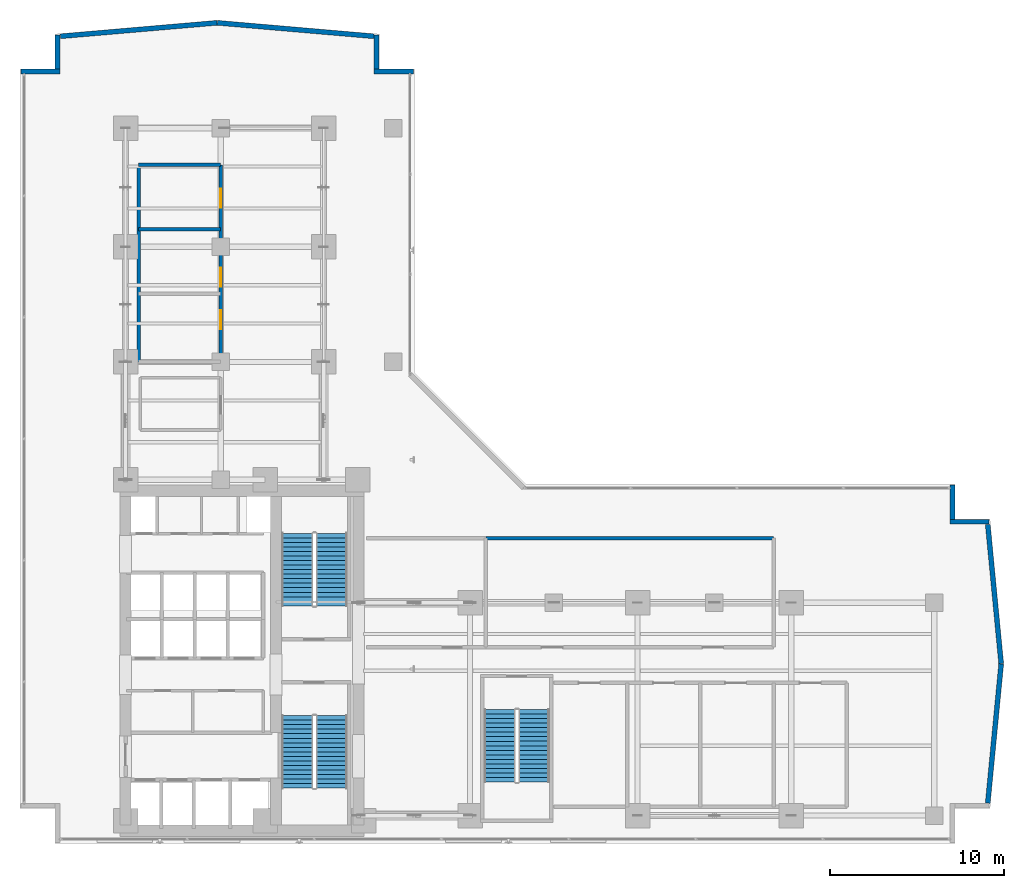
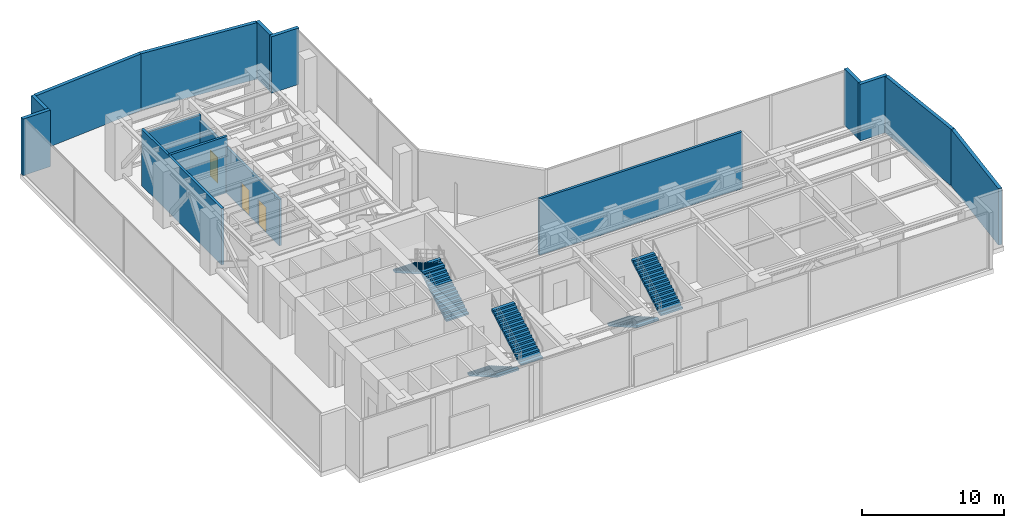
# One storey, part 33 of 37: 15 walls, 6 stair flights, 3 doors, 3 openings, 3 elements without a shape of their own.
"""IFC4 building model written with IfcOpenShell, lengths in metres."""

from ifc_helpers import new_model, si_unit, direction, frame, frame_2d, origin, place, context, subcontext, project, spatial, polyline, rectangle, outline, extrude, material, layer, layer_set, type_object, element, fill, aggregate, save


model = new_model("IFC4")

# Units and contexts
model_context = context("Model", 3, precision=1e-05, world=origin(), true_north=direction((0.0, 1.0)))
body_context = subcontext(model_context, "Body", "Model", "MODEL_VIEW")
ifc_project = project(units=[si_unit("LENGTHUNIT", "METRE"), si_unit("AREAUNIT", "SQUARE_METRE"), si_unit("VOLUMEUNIT", "CUBIC_METRE"), si_unit("PLANEANGLEUNIT", "RADIAN"), si_unit("MASSUNIT", "GRAM", prefix="KILO")], contexts=[model_context])

# Site, building, storey
site_placement = place(None, origin())
site = spatial("IfcSite", under=ifc_project, at=site_placement, CompositionType="ELEMENT")
building_placement = place(site_placement, origin())
building = spatial("IfcBuilding", under=site, at=building_placement, Name="Kolvaren Waterfront Exchange", CompositionType="ELEMENT")
storey_placement = place(building_placement, frame((0.0, 0.0, 141.10009765625)))
storey = spatial("IfcBuildingStorey", under=building, at=storey_placement, Name="L36", CompositionType="ELEMENT", Elevation=141.10009765625)

# Walls
ifc_material_1 = material(Name="Precast concrete C40/50", Category="concrete")
ifc_layer_1 = layer(ifc_material_1, 0.280029296875, Name="Precast concrete C40/50")
ifc_layer_set_1 = layer_set([ifc_layer_1], Name="Precast concrete C40/50")
wall_type_1 = type_object("IfcWallType", Name="ARC-EXT-TERR-280", PredefinedType="SOLIDWALL", material=ifc_layer_set_1)
wall_1_placement = place(storey_placement, frame((54.840087890625, 22.1650390625, 0.0), z_axis=(0.0, 0.0, 1.0), x_axis=(0.0, 1.0, 0.0)))
element("IfcWall", 1, at=wall_1_placement, inside=storey, type_object=wall_type_1, Name="L36 notched corner spandrel pier ENE-A", PredefinedType="SOLIDWALL", context=body_context, shape_type="SweptSolid", body=[
    extrude(rectangle(XDim=1.974853515625, YDim=0.280029296875, at=frame_2d((0.9873046875, 0.0))), origin(), (0.0, 0.0, 1.0), 4.85986328125),
])
for number, where, z_axis, x_axis, name in (
    (2, (54.699951171875, 22.0400390625, 0.0), (0.0, 0.0, 1.0), (1.0, 0.0, 0.0), "L36 notched corner spandrel pier ENE-B"),
    (3, (21.699951171875, 47.840087890625, 0.0), (0.0, 0.0, 1.0), (1.0, 0.0, 0.0), "L36 notched corner spandrel pier NNE-A"),
):
    element("IfcWall", number, at=place(storey_placement, frame(where, z_axis=z_axis, x_axis=x_axis)), inside=storey, type_object=wall_type_1, Name=name, PredefinedType="SOLIDWALL", context=body_context, shape_type="SweptSolid", body=[
        extrude(rectangle(XDim=2.239990234375, YDim=0.280029296875, at=frame_2d((1.1201171875, 0.0))), origin(), (0.0, 0.0, 1.0), 4.85986328125),
    ])
wall_2_placement = place(storey_placement, frame((21.840087890625, 47.97998046875, 0.0), z_axis=(0.0, 0.0, 1.0), x_axis=(0.0, 1.0, 0.0)))
element("IfcWall", 4, at=wall_2_placement, inside=storey, type_object=wall_type_1, Name="L36 notched corner spandrel pier NNE-B", PredefinedType="SOLIDWALL", context=body_context, shape_type="SweptSolid", body=[
    extrude(rectangle(XDim=1.9599609375, YDim=0.280029296875, at=frame_2d((0.97998046875, 0.0))), origin(), (0.0, 0.0, 1.0), 4.85986328125),
])
wall_3_placement = place(storey_placement, frame((1.4599609375, 47.840087890625, 0.0), z_axis=(0.0, 0.0, 1.0), x_axis=(1.0, 0.0, 0.0)))
element("IfcWall", 5, at=wall_3_placement, inside=storey, type_object=wall_type_1, Name="L36 notched corner spandrel pier NW-A", PredefinedType="SOLIDWALL", context=body_context, shape_type="SweptSolid", body=[
    extrude(rectangle(XDim=2.239990234375, YDim=0.280029296875, at=frame_2d((1.1201171875, 0.0))), origin(), (0.0, 0.0, 1.0), 4.85986328125),
])
wall_4_placement = place(storey_placement, frame((3.56005859375, 47.97998046875, 0.0), z_axis=(0.0, 0.0, 1.0), x_axis=(0.0, 1.0, 0.0)))
element("IfcWall", 6, at=wall_4_placement, inside=storey, type_object=wall_type_1, Name="L36 notched corner spandrel pier NW-B", PredefinedType="SOLIDWALL", context=body_context, shape_type="SweptSolid", body=[
    extrude(rectangle(XDim=1.9599609375, YDim=0.280029296875, at=frame_2d((0.97998046875, 0.0))), origin(), (0.0, 0.0, 1.0), 4.85986328125),
])
for number, where, z_axis, x_axis, name in (
    (7, (56.869384765625, 5.9140625, 0.0), (0.0, 0.0, 1.0), (0.095969995245, 0.995384227328, 0.0), "L36 east prow faceted facade wall 1"),
    (8, (57.638916015625, 13.904541015625, 0.0), (0.0, 0.0, 1.0), (-0.095969995245, 0.995384227328, 0.0), "L36 east prow faceted facade wall 2"),
):
    element("IfcWall", number, at=place(storey_placement, frame(where, z_axis=z_axis, x_axis=x_axis)), inside=storey, type_object=wall_type_1, Name=name, PredefinedType="SOLIDWALL", context=body_context, shape_type="SweptSolid", body=[
        extrude(rectangle(XDim=8.0185546875, YDim=0.280029296875, at=frame_2d((4.00927734375, 0.0))), origin(), (0.0, 0.0, 1.0), 4.85986328125),
    ])
for number, where, z_axis, x_axis, name in (
    (9, (21.6875, 49.8662109375, 0.0), (0.0, 0.0, 1.0), (-0.996319339243, 0.085719159179, 0.0), "L36 north prow faceted facade wall 1"),
    (10, (12.69384765625, 50.638916015625, 0.0), (0.0, 0.0, 1.0), (-0.996319339243, -0.085719159179, 0.0), "L36 north prow faceted facade wall 2"),
):
    element("IfcWall", number, at=place(storey_placement, frame(where, z_axis=z_axis, x_axis=x_axis)), inside=storey, type_object=wall_type_1, Name=name, PredefinedType="SOLIDWALL", context=body_context, shape_type="SweptSolid", body=[
        extrude(rectangle(XDim=9.014404296875, YDim=0.280029296875, at=frame_2d((4.50732421875, 0.0))), origin(), (0.0, 0.0, 1.0), 4.85986328125),
    ])
ifc_layer_2 = layer(ifc_material_1, 0.199951171875, Name="Precast concrete C40/50")
ifc_layer_set_2 = layer_set([ifc_layer_2], Name="Precast concrete C40/50")
wall_type_2 = type_object("IfcWallType", Name="ARC-FIRE-200", PredefinedType="PARTITIONING", material=ifc_layer_set_2)
wall_5_placement = place(storey_placement, frame((28.10009765625, 21.10009765625, 0.0), z_axis=(0.0, 0.0, 1.0), x_axis=(1.0, 0.0, 0.0)))
element("IfcWall", 11, at=wall_5_placement, inside=storey, type_object=wall_type_2, Name="L36 interior wall PW-L36-REF-N", PredefinedType="PARTITIONING", context=body_context, shape_type="SweptSolid", body=[
    extrude(rectangle(XDim=16.5, YDim=0.199951171875, at=frame_2d((8.25, 0.0))), origin(), (0.0, 0.0, 1.0), 4.85986328125),
])

# Wall, openings, doors
wall_6_placement = place(storey_placement, frame((12.89990234375, 31.199951171875, 0.0), z_axis=(0.0, 0.0, 1.0), x_axis=(0.0, 1.0, 0.0)))
wall_6 = element("IfcWall", 12, at=wall_6_placement, inside=storey, type_object=wall_type_2, Name="L36 interior wall PW-L36-PL-E3", PredefinedType="PARTITIONING", context=body_context, shape_type="SweptSolid", body=[
    extrude(rectangle(XDim=11.300048828125, YDim=0.199951171875, at=frame_2d((5.64990234375, 0.0))), origin(), (0.0, 0.0, 1.0), 3.9599609375),
])
opening_1_placement = place(wall_6_placement, frame((1.875, 0.0, 0.0)))
opening_1 = element("IfcOpeningElement", 13, at=opening_1_placement, cuts=wall_6, Name="Opening FD2", PredefinedType="OPENING", context=body_context, shape_type="SweptSolid", body=[
    extrude(rectangle(XDim=1.10009765625, YDim=2.199951171875, at=frame_2d((0.550048828125, 1.10009765625))), frame((0.0, 0.10986328125, 0.0), z_axis=(0.0, -1.0, 0.0), x_axis=(1.0, 0.0, 0.0)), (0.0, 0.0, 1.0), 0.219970703125),
])
opening_2_placement = place(wall_6_placement, frame((4.300048828125, 0.0, 0.0)))
opening_2 = element("IfcOpeningElement", 14, at=opening_2_placement, cuts=wall_6, Name="Opening FD2", PredefinedType="OPENING", context=body_context, shape_type="SweptSolid", body=[
    extrude(rectangle(XDim=1.10009765625, YDim=2.199951171875, at=frame_2d((0.550048828125, 1.10009765625))), frame((0.0, 0.10986328125, 0.0), z_axis=(0.0, -1.0, 0.0), x_axis=(1.0, 0.0, 0.0)), (0.0, 0.0, 1.0), 0.219970703125),
])
opening_3_placement = place(wall_6_placement, frame((8.827392578125, 0.0, 0.0)))
opening_3 = element("IfcOpeningElement", 15, at=opening_3_placement, cuts=wall_6, Name="Opening FD2", PredefinedType="OPENING", context=body_context, shape_type="SweptSolid", body=[
    extrude(rectangle(XDim=1.10009765625, YDim=2.199951171875, at=frame_2d((0.550048828125, 1.10009765625))), frame((0.0, 0.10986328125, 0.0), z_axis=(0.0, -1.0, 0.0), x_axis=(1.0, 0.0, 0.0)), (0.0, 0.0, 1.0), 0.219970703125),
])
ifc_material_2 = material(Name="Pressed steel smoke-seal fire door", Category="steel")
door_type = type_object("IfcDoorType", Name="ARC-FD-1100", OperationType="NOTDEFINED", PredefinedType="DOOR", material=ifc_material_2)
door_1_placement = place(opening_1_placement, origin())
door_1 = element("IfcDoor", 16, at=door_1_placement, inside=storey, type_object=door_type, Name="L36 door DR-L36-PLNW-D1 (FD2)", OperationType="SINGLE_SWING_RIGHT", OverallHeight=2.199951171875, OverallWidth=1.10009765625, PredefinedType="DOOR", context=body_context, shape_type="SweptSolid", body=[
    extrude(rectangle(XDim=1.10009765625, YDim=2.199951171875, at=frame_2d((0.550048828125, 1.10009765625))), frame((0.0, 0.02490234375, 0.0), z_axis=(0.0, -1.0, 0.0), x_axis=(1.0, 0.0, 0.0)), (0.0, 0.0, 1.0), 0.050048828125),
])
fill(opening_1, door_1)
door_2_placement = place(opening_2_placement, origin())
door_2 = element("IfcDoor", 17, at=door_2_placement, inside=storey, type_object=door_type, Name="L36 door DR-L36-PLNW-D2 (FD2)", OperationType="SINGLE_SWING_LEFT", OverallHeight=2.199951171875, OverallWidth=1.10009765625, PredefinedType="DOOR", context=body_context, shape_type="SweptSolid", body=[
    extrude(rectangle(XDim=1.10009765625, YDim=2.199951171875, at=frame_2d((0.550048828125, 1.10009765625))), frame((0.0, 0.02490234375, 0.0), z_axis=(0.0, -1.0, 0.0), x_axis=(1.0, 0.0, 0.0)), (0.0, 0.0, 1.0), 0.050048828125),
])
fill(opening_2, door_2)
door_3_placement = place(opening_3_placement, origin())
door_3 = element("IfcDoor", 18, at=door_3_placement, inside=storey, type_object=door_type, Name="L36 door DR-L36-PLNW-D3 (FD2)", OperationType="SINGLE_SWING_RIGHT", OverallHeight=2.199951171875, OverallWidth=1.10009765625, PredefinedType="DOOR", context=body_context, shape_type="SweptSolid", body=[
    extrude(rectangle(XDim=1.10009765625, YDim=2.199951171875, at=frame_2d((0.550048828125, 1.10009765625))), frame((0.0, 0.02490234375, 0.0), z_axis=(0.0, -1.0, 0.0), x_axis=(1.0, 0.0, 0.0)), (0.0, 0.0, 1.0), 0.050048828125),
])
fill(opening_3, door_3)

# Walls
wall_7_placement = place(storey_placement, frame((8.199951171875, 31.199951171875, 0.0), z_axis=(0.0, 0.0, 1.0), x_axis=(0.0, 1.0, 0.0)))
element("IfcWall", 19, at=wall_7_placement, inside=storey, type_object=wall_type_2, Name="L36 interior wall PW-L36-PL-W3", PredefinedType="PARTITIONING", context=body_context, shape_type="SweptSolid", body=[
    extrude(rectangle(XDim=11.300048828125, YDim=0.199951171875, at=frame_2d((5.64990234375, 0.0))), origin(), (0.0, 0.0, 1.0), 4.85986328125),
])
wall_8_placement = place(storey_placement, frame((8.199951171875, 42.5, 0.0), z_axis=(0.0, 0.0, 1.0), x_axis=(1.0, 0.0, 0.0)))
element("IfcWall", 20, at=wall_8_placement, inside=storey, type_object=wall_type_2, Name="L36 interior wall PW-L36-PL-N3", PredefinedType="PARTITIONING", context=body_context, shape_type="SweptSolid", body=[
    extrude(rectangle(XDim=4.699951171875, YDim=0.199951171875, at=frame_2d((2.35009765625, 0.0))), origin(), (0.0, 0.0, 1.0), 4.4599609375),
])
wall_9_placement = place(storey_placement, frame((8.199951171875, 38.800048828125, 0.0), z_axis=(0.0, 0.0, 1.0), x_axis=(1.0, 0.0, 0.0)))
element("IfcWall", 21, at=wall_9_placement, inside=storey, type_object=wall_type_2, Name="L36 interior wall PW-L36-PL-M3-2", PredefinedType="PARTITIONING", context=body_context, shape_type="SweptSolid", body=[
    extrude(rectangle(XDim=4.699951171875, YDim=0.199951171875, at=frame_2d((2.35009765625, 0.0))), origin(), (0.0, 0.0, 1.0), 4.85986328125),
])

# Stair, stair flights
ifc_material_3 = material(Name="Concrete C40/50", Category="concrete")
stair_type = type_object("IfcStairType", Name="ARC-STAIR-5100", PredefinedType="HALF_TURN_STAIR", material=ifc_material_3)
stair_1_placement = place(storey_placement, origin())
stair_1 = element("IfcStair", 22, at=stair_1_placement, inside=storey, type_object=stair_type, Name="L36 Smoke-proof exit stair ST1", PredefinedType="HALF_TURN_STAIR")
stair_flight_type = type_object("IfcStairFlightType", Name="ARC-FLIGHT-5100", PredefinedType="STRAIGHT", material=ifc_material_3)
stair_flight_1_placement = place(storey_placement, frame((17.300048828125, 10.929931640625, 0.0), z_axis=(0.0, 0.0, 1.0), x_axis=(0.0, -1.0, 0.0)))
stair_flight_1 = element("IfcStairFlight", 23, at=stair_flight_1_placement, type_object=stair_flight_type, Name="ST1 flight 1", NumberOfRisers=17, NumberOfTreads=16, PredefinedType="STRAIGHT", RiserHeight=0.15, TreadLength=0.26, context=body_context, shape_type="SweptSolid", body=[
    extrude(outline(polyline([(0.0, 0.0), (0.0, 0.14990234375), (0.260009765625, 0.14990234375), (0.260009765625, 0.300048828125), (0.52001953125, 0.300048828125), (0.52001953125, 0.449951171875), (0.780029296875, 0.449951171875), (0.780029296875, 0.60009765625), (1.0400390625, 0.60009765625), (1.0400390625, 0.75), (1.300048828125, 0.75), (1.300048828125, 0.89990234375), (1.56005859375, 0.89990234375), (1.56005859375, 1.050048828125), (1.820068359375, 1.050048828125), (1.820068359375, 1.199951171875), (2.080078125, 1.199951171875), (2.080078125, 1.35009765625), (2.340087890625, 1.35009765625), (2.340087890625, 1.5), (2.60009765625, 1.5), (2.60009765625, 1.64990234375), (2.860107421875, 1.64990234375), (2.860107421875, 1.800048828125), (3.1201171875, 1.800048828125), (3.1201171875, 1.949951171875), (3.3798828125, 1.949951171875), (3.3798828125, 2.10009765625), (3.639892578125, 2.10009765625), (3.639892578125, 2.25), (3.89990234375, 2.25), (3.89990234375, 2.39990234375), (4.159912109375, 2.39990234375), (4.159912109375, 2.550048828125), (4.159912109375, 2.22705078125), (0.300048828125, 0.0), (0.0, 0.0)])), frame((0.0, 0.89990234375, 0.0), z_axis=(0.0, -1.0, 0.0), x_axis=(1.0, 0.0, 0.0)), (0.0, 0.0, 1.0), 1.800048828125),
])
stair_flight_2_placement = place(storey_placement, frame((19.260009765625, 6.77001953125, 2.5498046875), z_axis=(0.0, 0.0, 1.0), x_axis=(0.0, 1.0, 0.0)))
stair_flight_2 = element("IfcStairFlight", 24, at=stair_flight_2_placement, type_object=stair_flight_type, Name="ST1 flight 2", NumberOfRisers=17, NumberOfTreads=16, PredefinedType="STRAIGHT", RiserHeight=0.15, TreadLength=0.26, context=body_context, shape_type="SweptSolid", body=[
    extrude(outline(polyline([(0.0, 0.0), (0.0, 0.14990234375), (0.260009765625, 0.14990234375), (0.260009765625, 0.300048828125), (0.52001953125, 0.300048828125), (0.52001953125, 0.449951171875), (0.780029296875, 0.449951171875), (0.780029296875, 0.60009765625), (1.0400390625, 0.60009765625), (1.0400390625, 0.75), (1.300048828125, 0.75), (1.300048828125, 0.89990234375), (1.56005859375, 0.89990234375), (1.56005859375, 1.050048828125), (1.820068359375, 1.050048828125), (1.820068359375, 1.199951171875), (2.080078125, 1.199951171875), (2.080078125, 1.35009765625), (2.340087890625, 1.35009765625), (2.340087890625, 1.5), (2.60009765625, 1.5), (2.60009765625, 1.64990234375), (2.860107421875, 1.64990234375), (2.860107421875, 1.800048828125), (3.1201171875, 1.800048828125), (3.1201171875, 1.949951171875), (3.3798828125, 1.949951171875), (3.3798828125, 2.10009765625), (3.639892578125, 2.10009765625), (3.639892578125, 2.25), (3.89990234375, 2.25), (3.89990234375, 2.39990234375), (4.159912109375, 2.39990234375), (4.159912109375, 2.550048828125), (4.159912109375, 2.22705078125), (0.300048828125, 0.0), (0.0, 0.0)])), frame((0.0, 0.89990234375, 0.0), z_axis=(0.0, -1.0, 0.0), x_axis=(1.0, 0.0, 0.0)), (0.0, 0.0, 1.0), 1.800048828125),
])
aggregate(stair_1, [stair_flight_1, stair_flight_2])

stair_2_placement = place(storey_placement, origin())
stair_2 = element("IfcStair", 25, at=stair_2_placement, inside=storey, type_object=stair_type, Name="L36 Smoke-proof exit stair ST2", PredefinedType="HALF_TURN_STAIR")
stair_flight_3_placement = place(storey_placement, frame((19.260009765625, 17.219970703125, 0.0), z_axis=(0.0, 0.0, 1.0), x_axis=(0.0, 1.0, 0.0)))
stair_flight_3 = element("IfcStairFlight", 26, at=stair_flight_3_placement, type_object=stair_flight_type, Name="ST2 flight 1", NumberOfRisers=17, NumberOfTreads=16, PredefinedType="STRAIGHT", RiserHeight=0.15, TreadLength=0.26, context=body_context, shape_type="SweptSolid", body=[
    extrude(outline(polyline([(0.0, 0.0), (0.0, 0.14990234375), (0.260009765625, 0.14990234375), (0.260009765625, 0.300048828125), (0.52001953125, 0.300048828125), (0.52001953125, 0.449951171875), (0.780029296875, 0.449951171875), (0.780029296875, 0.60009765625), (1.0400390625, 0.60009765625), (1.0400390625, 0.75), (1.300048828125, 0.75), (1.300048828125, 0.89990234375), (1.56005859375, 0.89990234375), (1.56005859375, 1.050048828125), (1.820068359375, 1.050048828125), (1.820068359375, 1.199951171875), (2.080078125, 1.199951171875), (2.080078125, 1.35009765625), (2.340087890625, 1.35009765625), (2.340087890625, 1.5), (2.60009765625, 1.5), (2.60009765625, 1.64990234375), (2.860107421875, 1.64990234375), (2.860107421875, 1.800048828125), (3.1201171875, 1.800048828125), (3.1201171875, 1.949951171875), (3.3798828125, 1.949951171875), (3.3798828125, 2.10009765625), (3.639892578125, 2.10009765625), (3.639892578125, 2.25), (3.89990234375, 2.25), (3.89990234375, 2.39990234375), (4.159912109375, 2.39990234375), (4.159912109375, 2.550048828125), (4.159912109375, 2.22705078125), (0.300048828125, 0.0), (0.0, 0.0)])), frame((0.0, 0.89990234375, 0.0), z_axis=(0.0, -1.0, 0.0), x_axis=(1.0, 0.0, 0.0)), (0.0, 0.0, 1.0), 1.800048828125),
])
stair_flight_4_placement = place(storey_placement, frame((17.300048828125, 21.3798828125, 2.5498046875), z_axis=(0.0, 0.0, 1.0), x_axis=(0.0, -1.0, 0.0)))
stair_flight_4 = element("IfcStairFlight", 27, at=stair_flight_4_placement, type_object=stair_flight_type, Name="ST2 flight 2", NumberOfRisers=17, NumberOfTreads=16, PredefinedType="STRAIGHT", RiserHeight=0.15, TreadLength=0.26, context=body_context, shape_type="SweptSolid", body=[
    extrude(outline(polyline([(0.0, 0.0), (0.0, 0.14990234375), (0.260009765625, 0.14990234375), (0.260009765625, 0.300048828125), (0.52001953125, 0.300048828125), (0.52001953125, 0.449951171875), (0.780029296875, 0.449951171875), (0.780029296875, 0.60009765625), (1.0400390625, 0.60009765625), (1.0400390625, 0.75), (1.300048828125, 0.75), (1.300048828125, 0.89990234375), (1.56005859375, 0.89990234375), (1.56005859375, 1.050048828125), (1.820068359375, 1.050048828125), (1.820068359375, 1.199951171875), (2.080078125, 1.199951171875), (2.080078125, 1.35009765625), (2.340087890625, 1.35009765625), (2.340087890625, 1.5), (2.60009765625, 1.5), (2.60009765625, 1.64990234375), (2.860107421875, 1.64990234375), (2.860107421875, 1.800048828125), (3.1201171875, 1.800048828125), (3.1201171875, 1.949951171875), (3.3798828125, 1.949951171875), (3.3798828125, 2.10009765625), (3.639892578125, 2.10009765625), (3.639892578125, 2.25), (3.89990234375, 2.25), (3.89990234375, 2.39990234375), (4.159912109375, 2.39990234375), (4.159912109375, 2.550048828125), (4.159912109375, 2.22705078125), (0.300048828125, 0.0), (0.0, 0.0)])), frame((0.0, 0.89990234375, 0.0), z_axis=(0.0, -1.0, 0.0), x_axis=(1.0, 0.0, 0.0)), (0.0, 0.0, 1.0), 1.800048828125),
])
aggregate(stair_2, [stair_flight_3, stair_flight_4])

stair_3_placement = place(storey_placement, origin())
stair_3 = element("IfcStair", 28, at=stair_3_placement, inside=storey, type_object=stair_type, Name="L36 Exit stair ST3", PredefinedType="HALF_TURN_STAIR")
stair_flight_5_placement = place(storey_placement, frame((28.89990234375, 11.280029296875, 0.0), z_axis=(0.0, 0.0, 1.0), x_axis=(0.0, -1.0, 0.0)))
stair_flight_5 = element("IfcStairFlight", 29, at=stair_flight_5_placement, type_object=stair_flight_type, Name="ST3 flight 1", NumberOfRisers=17, NumberOfTreads=16, PredefinedType="STRAIGHT", RiserHeight=0.15, TreadLength=0.26, context=body_context, shape_type="SweptSolid", body=[
    extrude(outline(polyline([(0.0, 0.0), (0.0, 0.14990234375), (0.260009765625, 0.14990234375), (0.260009765625, 0.300048828125), (0.52001953125, 0.300048828125), (0.52001953125, 0.449951171875), (0.780029296875, 0.449951171875), (0.780029296875, 0.60009765625), (1.0400390625, 0.60009765625), (1.0400390625, 0.75), (1.300048828125, 0.75), (1.300048828125, 0.89990234375), (1.56005859375, 0.89990234375), (1.56005859375, 1.050048828125), (1.820068359375, 1.050048828125), (1.820068359375, 1.199951171875), (2.080078125, 1.199951171875), (2.080078125, 1.35009765625), (2.340087890625, 1.35009765625), (2.340087890625, 1.5), (2.60009765625, 1.5), (2.60009765625, 1.64990234375), (2.860107421875, 1.64990234375), (2.860107421875, 1.800048828125), (3.1201171875, 1.800048828125), (3.1201171875, 1.949951171875), (3.3798828125, 1.949951171875), (3.3798828125, 2.10009765625), (3.639892578125, 2.10009765625), (3.639892578125, 2.25), (3.89990234375, 2.25), (3.89990234375, 2.39990234375), (4.159912109375, 2.39990234375), (4.159912109375, 2.550048828125), (4.159912109375, 2.22705078125), (0.300048828125, 0.0), (0.0, 0.0)])), frame((0.0, 0.89990234375, 0.0), z_axis=(0.0, -1.0, 0.0), x_axis=(1.0, 0.0, 0.0)), (0.0, 0.0, 1.0), 1.800048828125),
])
stair_flight_6_placement = place(storey_placement, frame((30.860107421875, 7.1201171875, 2.5498046875), z_axis=(0.0, 0.0, 1.0), x_axis=(0.0, 1.0, 0.0)))
stair_flight_6 = element("IfcStairFlight", 30, at=stair_flight_6_placement, type_object=stair_flight_type, Name="ST3 flight 2", NumberOfRisers=17, NumberOfTreads=16, PredefinedType="STRAIGHT", RiserHeight=0.15, TreadLength=0.26, context=body_context, shape_type="SweptSolid", body=[
    extrude(outline(polyline([(0.0, 0.0), (0.0, 0.14990234375), (0.260009765625, 0.14990234375), (0.260009765625, 0.300048828125), (0.52001953125, 0.300048828125), (0.52001953125, 0.449951171875), (0.780029296875, 0.449951171875), (0.780029296875, 0.60009765625), (1.0400390625, 0.60009765625), (1.0400390625, 0.75), (1.300048828125, 0.75), (1.300048828125, 0.89990234375), (1.56005859375, 0.89990234375), (1.56005859375, 1.050048828125), (1.820068359375, 1.050048828125), (1.820068359375, 1.199951171875), (2.080078125, 1.199951171875), (2.080078125, 1.35009765625), (2.340087890625, 1.35009765625), (2.340087890625, 1.5), (2.60009765625, 1.5), (2.60009765625, 1.64990234375), (2.860107421875, 1.64990234375), (2.860107421875, 1.800048828125), (3.1201171875, 1.800048828125), (3.1201171875, 1.949951171875), (3.3798828125, 1.949951171875), (3.3798828125, 2.10009765625), (3.639892578125, 2.10009765625), (3.639892578125, 2.25), (3.89990234375, 2.25), (3.89990234375, 2.39990234375), (4.159912109375, 2.39990234375), (4.159912109375, 2.550048828125), (4.159912109375, 2.22705078125), (0.300048828125, 0.0), (0.0, 0.0)])), frame((0.0, 0.89990234375, 0.0), z_axis=(0.0, -1.0, 0.0), x_axis=(1.0, 0.0, 0.0)), (0.0, 0.0, 1.0), 1.800048828125),
])
aggregate(stair_3, [stair_flight_5, stair_flight_6])

save(model, "model.ifc")
